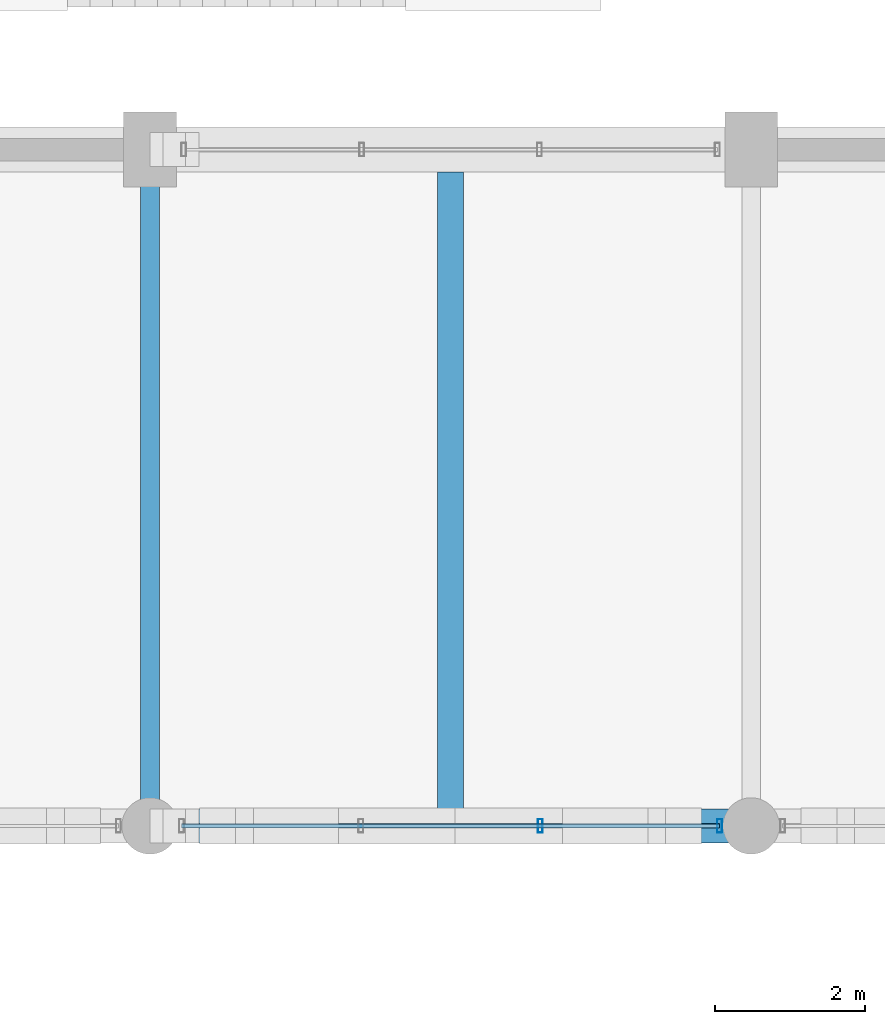
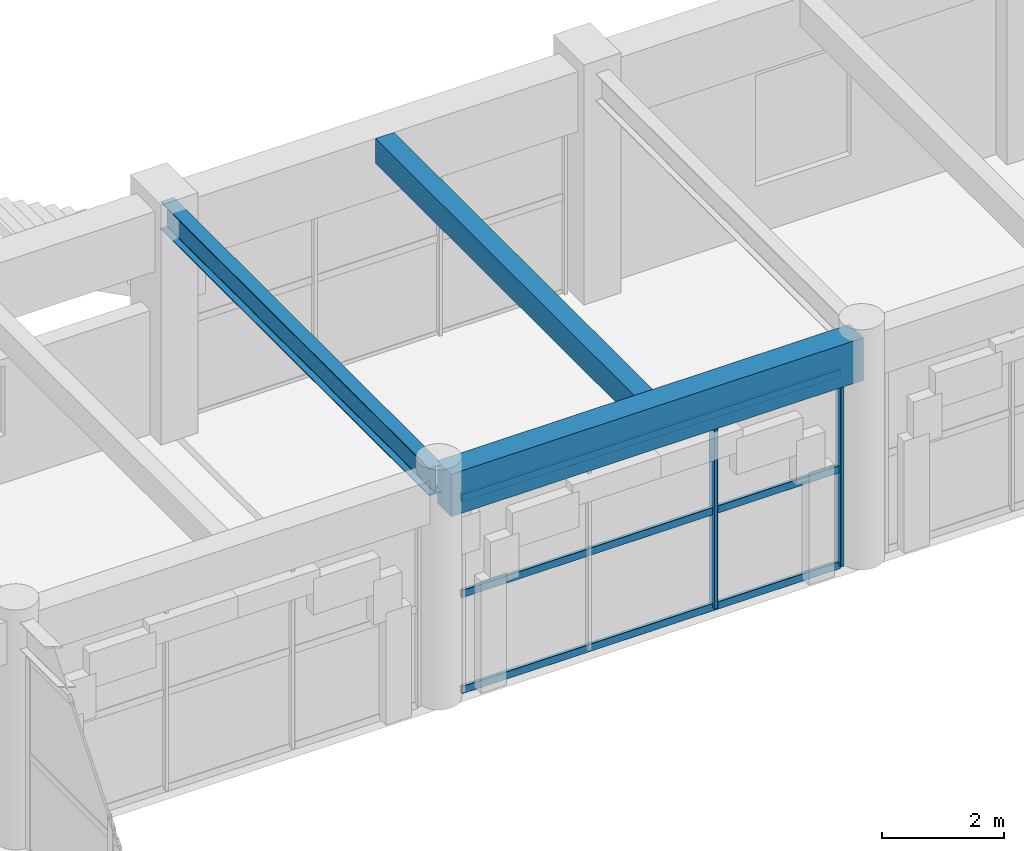
# One storey, part 23 of 144: 5 members, 3 beams, 1 element without a shape of its own.
"""IFC4 building model written with IfcOpenShell, lengths in metres."""

from ifc_helpers import new_model, si_unit, direction, frame, origin, origin_2d, place, context, subcontext, project, spatial, rectangle, hollow_rectangle, i_section, extrude, material, material_profile, profile_set, type_object, element, aggregate, save


model = new_model("IFC4")

# Units and contexts
model_context = context("Model", 3, precision=1e-05, world=origin(), true_north=direction((0.0, 1.0)))
body_context = subcontext(model_context, "Body", "Model", "MODEL_VIEW")
ifc_project = project(units=[si_unit("LENGTHUNIT", "METRE"), si_unit("AREAUNIT", "SQUARE_METRE"), si_unit("VOLUMEUNIT", "CUBIC_METRE"), si_unit("PLANEANGLEUNIT", "RADIAN"), si_unit("MASSUNIT", "GRAM", prefix="KILO")], contexts=[model_context])

# Site, building, storey
site_placement = place(None, origin())
site = spatial("IfcSite", under=ifc_project, at=site_placement, CompositionType="ELEMENT")
building_placement = place(site_placement, origin())
building = spatial("IfcBuilding", under=site, at=building_placement, Name="Varnabhumi Central Station", CompositionType="ELEMENT")
storey_placement = place(building_placement, frame((0.0, 0.0, 4.800048828125)))
storey = spatial("IfcBuildingStorey", under=building, at=storey_placement, Name="L01", CompositionType="ELEMENT", Elevation=4.800048828125)

# Beams
ifc_material_1 = material(Name="Concrete M40", Category="concrete")
ifc_material_profile_1 = material_profile(ifc_material_1, rectangle(XDim=0.35009765625, YDim=0.5, at=origin_2d()), Name="Concrete M40", Category="concrete")
ifc_profile_set_1 = profile_set([ifc_material_profile_1], Name="Concrete M40")
beam_type_1 = type_object("IfcBeamType", Name="BM-RC-350x500", PredefinedType="JOIST", material=ifc_profile_set_1)
beam_1_placement = place(storey_placement, frame((124.0, 27.22509765625, 4.300048828125), z_axis=(0.0, 1.0, 0.0), x_axis=(-1.0, 0.0, 0.0)))
element("IfcBeam", 1, at=beam_1_placement, inside=storey, type_object=beam_type_1, Name="Secondary Joist L01-16/17:D-E", PredefinedType="JOIST", context=body_context, shape_type="SweptSolid", body=[
    extrude(rectangle(XDim=0.35009765625, YDim=0.5, at=origin_2d()), origin(), (0.0, 0.0, 1.0), 8.474853515625),
])
ifc_material_profile_2 = material_profile(ifc_material_1, rectangle(XDim=0.449951171875, YDim=0.85009765625, at=origin_2d()), Name="Concrete M40", Category="concrete")
ifc_profile_set_2 = profile_set([ifc_material_profile_2], Name="Concrete M40")
beam_type_2 = type_object("IfcBeamType", Name="BM-RC-450x850", PredefinedType="BEAM", material=ifc_profile_set_2)
beam_2_placement = place(storey_placement, frame((120.10009765625, 27.0, 4.125), z_axis=(1.0, 0.0, 0.0), x_axis=(0.0, 1.0, 0.0)))
element("IfcBeam", 2, at=beam_2_placement, inside=storey, type_object=beam_type_2, Name="Beam L01-D:16-17", PredefinedType="BEAM", context=body_context, shape_type="SweptSolid", body=[
    extrude(rectangle(XDim=0.449951171875, YDim=0.85009765625, at=origin_2d()), origin(), (0.0, 0.0, 1.0), 7.7998046875),
])
ifc_material_2 = material(Name="Structural steel E350", Category="steel")
ifc_material_profile_3 = material_profile(ifc_material_2, i_section(OverallWidth=0.25, OverallDepth=0.550048828125, WebThickness=0.010498046875, FlangeThickness=0.017578125, FilletRadius=0.01611328125, at=origin_2d()), Name="Structural steel E350", Category="steel")
ifc_profile_set_3 = profile_set([ifc_material_profile_3], Name="Structural steel E350")
beam_type_3 = type_object("IfcBeamType", Name="BM-STL-ISWB550", PredefinedType="BEAM", material=ifc_profile_set_3)
beam_3_placement = place(storey_placement, frame((120.0, 27.10009765625, 4.27490234375), z_axis=(0.0, 1.0, 0.0), x_axis=(-1.0, 0.0, 0.0)))
element("IfcBeam", 3, at=beam_3_placement, inside=storey, type_object=beam_type_3, Name="Beam L01-16:D-E", PredefinedType="BEAM", context=body_context, shape_type="SweptSolid", body=[
    extrude(i_section(OverallWidth=0.25, OverallDepth=0.550048828125, WebThickness=0.010498046875, FlangeThickness=0.017578125, FilletRadius=0.01611328125, at=origin_2d()), origin(), (0.0, 0.0, 1.0), 8.7998046875),
])

# Curtain wall, members
ifc_material_3 = material(Name="Anodised aluminium 6063-T6", Category="aluminium")
curtain_wall_type = type_object("IfcCurtainWallType", Name="CW-PATIO-LOGGIA-L1", PredefinedType="NOTDEFINED", material=ifc_material_3)
curtain_wall_placement = place(storey_placement, origin())
curtain_wall = element("IfcCurtainWall", 4, at=curtain_wall_placement, inside=storey, type_object=curtain_wall_type, Name="Curtain Wall CW-SP1N2", PredefinedType="NOTDEFINED")
ifc_material_profile_4 = material_profile(ifc_material_3, hollow_rectangle(XDim=0.06494140625, YDim=0.179931640625, WallThickness=0.00390625, InnerFilletRadius=0.001953125, OuterFilletRadius=0.006103515625, at=origin_2d()), Name="Anodised aluminium 6063-T6", Category="aluminium")
ifc_profile_set_4 = profile_set([ifc_material_profile_4], Name="Anodised aluminium 6063-T6")
member_type_1 = type_object("IfcMemberType", Name="CW-MUL-180", PredefinedType="MULLION", material=ifc_profile_set_4)
member_1_placement = place(storey_placement, frame((125.193359375, 27.0, 0.0), z_axis=(0.0, 0.0, 1.0), x_axis=(1.0, 0.0, 0.0)))
member_1 = element("IfcMember", 5, at=member_1_placement, type_object=member_type_1, Name="Curtain Wall Mullion CW-SP1N2-M3", PredefinedType="MULLION", context=body_context, shape_type="SweptSolid", body=[
    extrude(hollow_rectangle(XDim=0.06494140625, YDim=0.179931640625, WallThickness=0.00390625, InnerFilletRadius=0.001953125, OuterFilletRadius=0.006103515625, at=origin_2d()), origin(), (0.0, 0.0, 1.0), 3.83984375),
])
member_2_placement = place(storey_placement, frame((127.580078125, 27.0, 0.0), z_axis=(0.0, 0.0, 1.0), x_axis=(1.0, 0.0, 0.0)))
member_2 = element("IfcMember", 6, at=member_2_placement, type_object=member_type_1, Name="Curtain Wall Mullion CW-SP1N2-M4", PredefinedType="MULLION", context=body_context, shape_type="SweptSolid", body=[
    extrude(hollow_rectangle(XDim=0.06494140625, YDim=0.179931640625, WallThickness=0.00390625, InnerFilletRadius=0.001953125, OuterFilletRadius=0.006103515625, at=origin_2d()), origin(), (0.0, 0.0, 1.0), 3.83984375),
])
ifc_material_profile_5 = material_profile(ifc_material_3, hollow_rectangle(XDim=0.06005859375, YDim=0.14990234375, WallThickness=0.00390625, InnerFilletRadius=0.001953125, OuterFilletRadius=0.006103515625, at=origin_2d()), Name="Anodised aluminium 6063-T6", Category="aluminium")
ifc_profile_set_5 = profile_set([ifc_material_profile_5], Name="Anodised aluminium 6063-T6")
member_type_2 = type_object("IfcMemberType", Name="CW-TR-150", PredefinedType="USERDEFINED", material=ifc_profile_set_5)
member_3_placement = place(storey_placement, frame((120.419921875, 27.0, 0.0), z_axis=(1.0, 0.0, 0.0), x_axis=(0.0, 1.0, 0.0)))
member_3 = element("IfcMember", 7, at=member_3_placement, type_object=member_type_2, Name="Curtain Wall Transom CW-SP1N2-T1", ObjectType="TRANSOM", PredefinedType="USERDEFINED", context=body_context, shape_type="SweptSolid", body=[
    extrude(hollow_rectangle(XDim=0.06005859375, YDim=0.14990234375, WallThickness=0.00390625, InnerFilletRadius=0.001953125, OuterFilletRadius=0.006103515625, at=origin_2d()), origin(), (0.0, 0.0, 1.0), 7.16015625),
])
member_4_placement = place(storey_placement, frame((120.419921875, 27.0, 1.919921875), z_axis=(1.0, 0.0, 0.0), x_axis=(0.0, 1.0, 0.0)))
member_4 = element("IfcMember", 8, at=member_4_placement, type_object=member_type_2, Name="Curtain Wall Transom CW-SP1N2-T2", ObjectType="TRANSOM", PredefinedType="USERDEFINED", context=body_context, shape_type="SweptSolid", body=[
    extrude(hollow_rectangle(XDim=0.06005859375, YDim=0.14990234375, WallThickness=0.00390625, InnerFilletRadius=0.001953125, OuterFilletRadius=0.006103515625, at=origin_2d()), origin(), (0.0, 0.0, 1.0), 7.16015625),
])
member_5_placement = place(storey_placement, frame((120.419921875, 27.0, 3.83984375), z_axis=(1.0, 0.0, 0.0), x_axis=(0.0, 1.0, 0.0)))
member_5 = element("IfcMember", 9, at=member_5_placement, type_object=member_type_2, Name="Curtain Wall Transom CW-SP1N2-T3", ObjectType="TRANSOM", PredefinedType="USERDEFINED", context=body_context, shape_type="SweptSolid", body=[
    extrude(hollow_rectangle(XDim=0.06005859375, YDim=0.14990234375, WallThickness=0.00390625, InnerFilletRadius=0.001953125, OuterFilletRadius=0.006103515625, at=origin_2d()), origin(), (0.0, 0.0, 1.0), 7.16015625),
])
aggregate(curtain_wall, [member_1, member_2, member_3, member_4, member_5])

save(model, "model.ifc")
